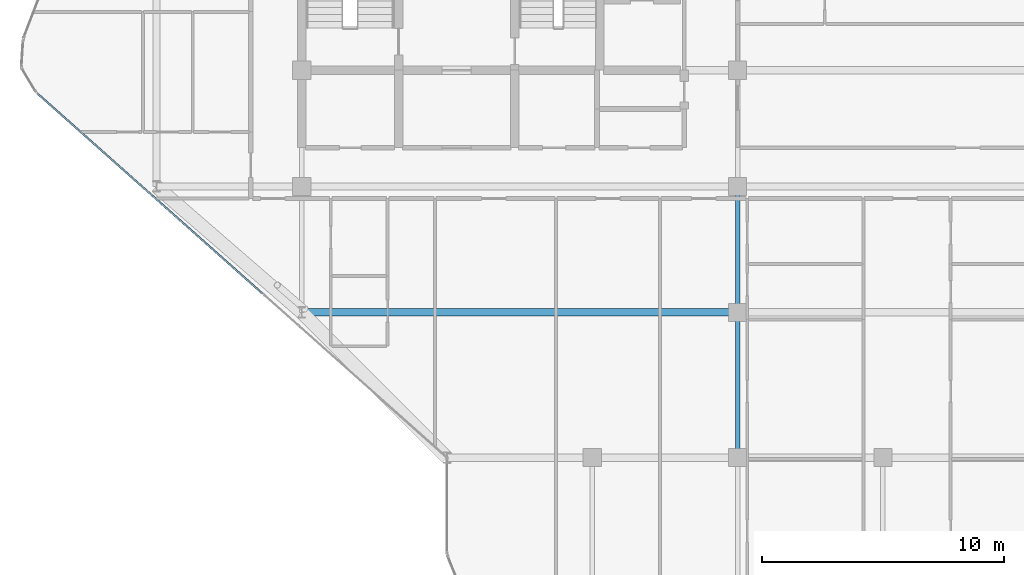
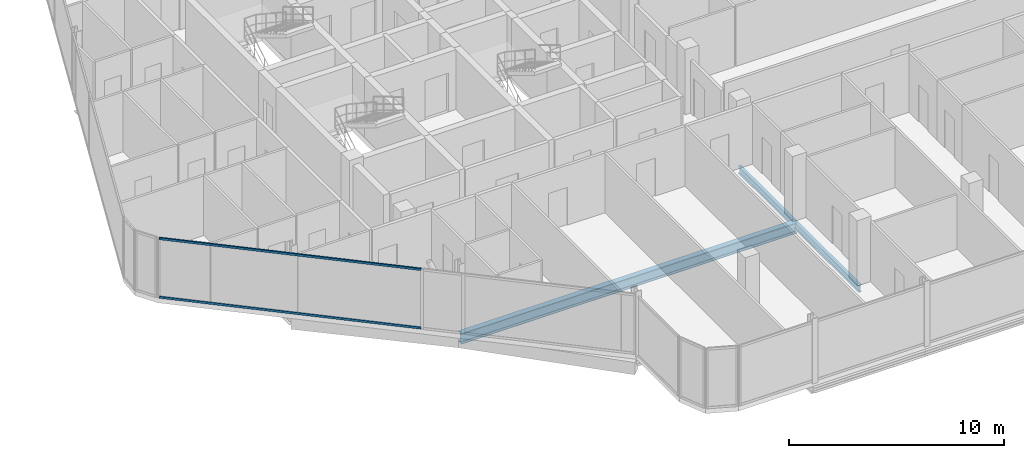
# One storey, part 7 of 29: 3 beams, 2 members, 1 element without a shape of its own.
"""IFC4 building model written with IfcOpenShell, lengths in metres."""

from ifc_helpers import new_model, si_unit, direction, frame, origin, origin_2d, place, context, subcontext, project, spatial, hollow_rectangle, i_section, extrude, material, layer, layer_set, material_profile, profile_set, type_object, element, aggregate, save


model = new_model("IFC4")

# Units and contexts
model_context = context("Model", 3, precision=1e-05, world=origin(), true_north=direction((0.0, 1.0)))
body_context = subcontext(model_context, "Body", "Model", "MODEL_VIEW")
ifc_project = project(units=[si_unit("LENGTHUNIT", "METRE"), si_unit("AREAUNIT", "SQUARE_METRE"), si_unit("VOLUMEUNIT", "CUBIC_METRE"), si_unit("PLANEANGLEUNIT", "RADIAN"), si_unit("MASSUNIT", "GRAM", prefix="KILO")], contexts=[model_context])

# Site, building, storey
site_placement = place(None, origin())
site = spatial("IfcSite", under=ifc_project, at=site_placement, CompositionType="ELEMENT")
building_placement = place(site_placement, origin())
building = spatial("IfcBuilding", under=site, at=building_placement, Name="Keshet Zoharim Tower", CompositionType="ELEMENT")
storey_placement = place(building_placement, frame((0.0, 0.0, 230.199951171875)))
storey = spatial("IfcBuildingStorey", under=building, at=storey_placement, Name="L57", CompositionType="ELEMENT", Elevation=230.199951171875)

# Beams
ifc_material_1 = material(Name="Steel S355", Category="steel")
ifc_material_profile_1 = material_profile(ifc_material_1, i_section(OverallWidth=0.300048828125, OverallDepth=0.60009765625, WebThickness=0.015380859375, FlangeThickness=0.030029296875, FilletRadius=0.027099609375, at=origin_2d()), Name="HEB600")
ifc_profile_set_1 = profile_set([ifc_material_profile_1], Name="Steel S355")
beam_type_1 = type_object("IfcBeamType", Name="BM-LNG-HB600", PredefinedType="BEAM", material=ifc_profile_set_1)
beam_1_placement = place(storey_placement, frame((15.0, 12.699951171875, -0.60986328125), z_axis=(1.0, 0.0, 0.0), x_axis=(0.0, 1.0, 0.0)))
element("IfcBeam", 1, at=beam_1_placement, inside=storey, type_object=beam_type_1, Name="L57 Primary Girder X-009", PredefinedType="BEAM", context=body_context, shape_type="SweptSolid", body=[
    extrude(i_section(OverallWidth=0.300048828125, OverallDepth=0.60009765625, WebThickness=0.015380859375, FlangeThickness=0.030029296875, FilletRadius=0.027099609375, at=origin_2d()), origin(), (0.0, 0.0, 1.0), 18.0),
])
ifc_material_profile_2 = material_profile(ifc_material_1, i_section(OverallWidth=0.179931640625, OverallDepth=0.39990234375, WebThickness=0.008544921875, FlangeThickness=0.013427734375, FilletRadius=0.02099609375, at=origin_2d()), Name="IPE400")
ifc_profile_set_2 = profile_set([ifc_material_profile_2], Name="Steel S355")
beam_type_2 = type_object("IfcBeamType", Name="BM-PRI-IP400", PredefinedType="BEAM", material=ifc_profile_set_2)
beam_2_placement = place(storey_placement, frame((33.0, 6.699951171875, -0.510009765625), z_axis=(0.0, 1.0, 0.0), x_axis=(-1.0, 0.0, 0.0)))
element("IfcBeam", 2, at=beam_2_placement, inside=storey, type_object=beam_type_2, Name="L57 Primary Girder Y-006", PredefinedType="BEAM", context=body_context, shape_type="SweptSolid", body=[
    extrude(i_section(OverallWidth=0.179931640625, OverallDepth=0.39990234375, WebThickness=0.008544921875, FlangeThickness=0.013427734375, FilletRadius=0.02099609375, at=origin_2d()), origin(), (0.0, 0.0, 1.0), 6.0),
])
beam_3_placement = place(storey_placement, frame((33.0, 12.699951171875, -0.510009765625), z_axis=(0.0, 1.0, 0.0), x_axis=(-1.0, 0.0, 0.0)))
element("IfcBeam", 3, at=beam_3_placement, inside=storey, type_object=beam_type_2, Name="L57 Primary Girder Y-007", PredefinedType="BEAM", context=body_context, shape_type="SweptSolid", body=[
    extrude(i_section(OverallWidth=0.179931640625, OverallDepth=0.39990234375, WebThickness=0.008544921875, FlangeThickness=0.013427734375, FilletRadius=0.02099609375, at=origin_2d()), origin(), (0.0, 0.0, 1.0), 5.199951171875),
])

# Curtain wall, members
ifc_material_2 = material(Name="Aluminium 6063-T6", Category="aluminium")
ifc_layer = layer(ifc_material_2, 0.139892578125)
ifc_layer_set = layer_set([ifc_layer], Name="Aluminium 6063-T6")
curtain_wall_type = type_object("IfcCurtainWallType", Name="CW-SYS-05", PredefinedType="NOTDEFINED", material=ifc_layer_set)
curtain_wall_placement = place(storey_placement, origin())
curtain_wall = element("IfcCurtainWall", 4, at=curtain_wall_placement, inside=storey, type_object=curtain_wall_type, Name="L57 Unitised Curtain Wall 10 Part 3", PredefinedType="NOTDEFINED")
ifc_material_profile_3 = material_profile(ifc_material_2, hollow_rectangle(XDim=0.074951171875, YDim=0.1201171875, WallThickness=0.00390625, at=origin_2d()), Name="TRN-75x120")
ifc_profile_set_3 = profile_set([ifc_material_profile_3], Name="Aluminium 6063-T6")
member_type = type_object("IfcMemberType", Name="CWT-T12", PredefinedType="USERDEFINED", material=ifc_profile_set_3)
member_1_placement = place(storey_placement, frame((13.379638671875, 13.4736328125, 0.03515625), z_axis=(-0.747409318684, 0.66436383883, 0.0), x_axis=(-0.66436383883, -0.747409318684, 0.0)))
member_1 = element("IfcMember", 5, at=member_1_placement, type_object=member_type, Name="CW-05 transom 1.1", ObjectType="TRANSOM", PredefinedType="USERDEFINED", context=body_context, shape_type="SweptSolid", body=[
    extrude(hollow_rectangle(XDim=0.074951171875, YDim=0.1201171875, WallThickness=0.00390625, at=origin_2d()), origin(), (0.0, 0.0, 1.0), 12.4326171875),
])
member_2_placement = place(storey_placement, frame((13.379638671875, 13.4736328125, 3.35498046875), z_axis=(-0.747409318684, 0.66436383883, 0.0), x_axis=(-0.66436383883, -0.747409318684, 0.0)))
member_2 = element("IfcMember", 6, at=member_2_placement, type_object=member_type, Name="CW-05 transom 1.2", ObjectType="TRANSOM", PredefinedType="USERDEFINED", context=body_context, shape_type="SweptSolid", body=[
    extrude(hollow_rectangle(XDim=0.074951171875, YDim=0.1201171875, WallThickness=0.00390625, at=origin_2d()), origin(), (0.0, 0.0, 1.0), 12.4326171875),
])
aggregate(curtain_wall, [member_1, member_2])

save(model, "model.ifc")
